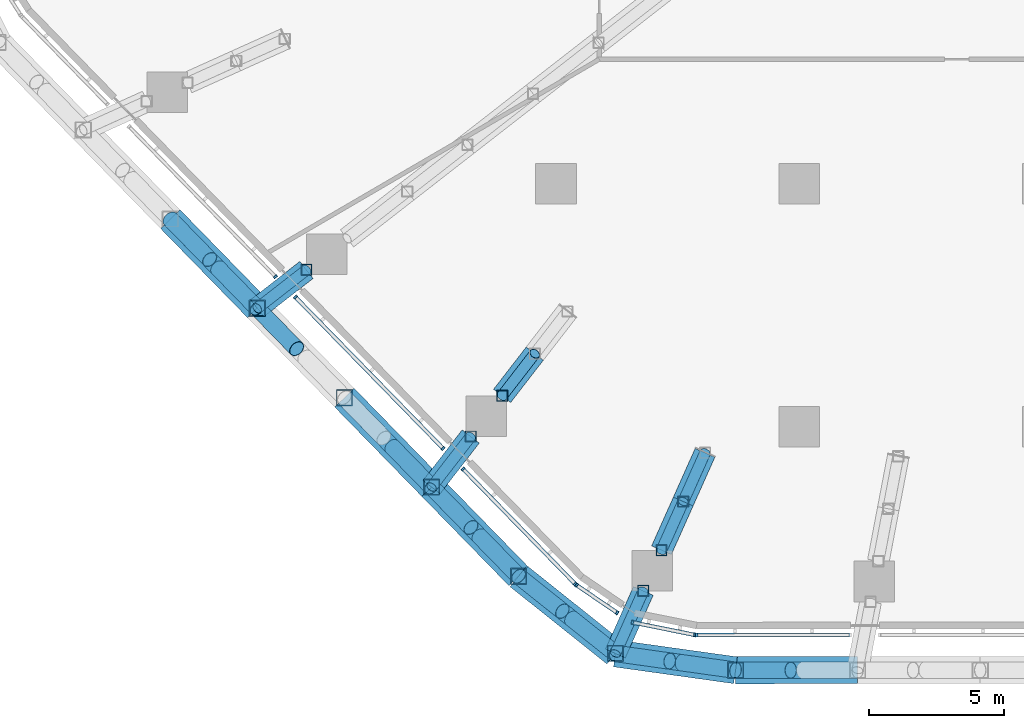
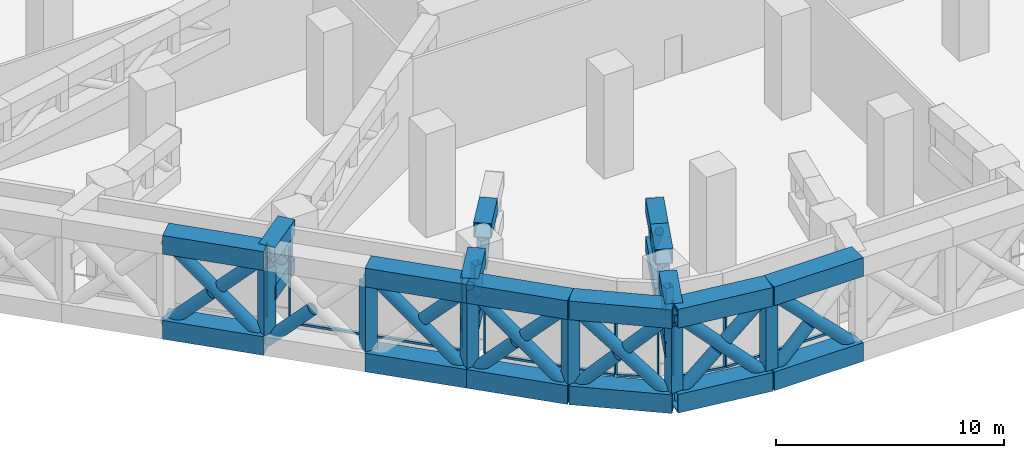
# One storey, part 2 of 38: 72 members, 3 elements without a shape of their own.
"""IFC4 building model written with IfcOpenShell, lengths in metres."""

from ifc_helpers import new_model, si_unit, direction, frame, origin, origin_2d, place, context, subcontext, project, spatial, rectangle, hollow_rectangle, hollow_circle, extrude, material, layer, layer_set, material_profile, profile_set, type_object, element, aggregate, save


model = new_model("IFC4")

# Units and contexts
model_context = context("Model", 3, precision=1e-05, world=origin(), true_north=direction((0.0, 1.0)))
body_context = subcontext(model_context, "Body", "Model", "MODEL_VIEW")
ifc_project = project(units=[si_unit("LENGTHUNIT", "METRE"), si_unit("AREAUNIT", "SQUARE_METRE"), si_unit("VOLUMEUNIT", "CUBIC_METRE"), si_unit("PLANEANGLEUNIT", "RADIAN"), si_unit("MASSUNIT", "GRAM", prefix="KILO")], contexts=[model_context])

# Site, building, storey
site_placement = place(None, origin())
site = spatial("IfcSite", under=ifc_project, at=site_placement, CompositionType="ELEMENT")
building_placement = place(site_placement, origin())
building = spatial("IfcBuilding", under=site, at=building_placement, Name="Dongbaek Canopy Tower", CompositionType="ELEMENT")
storey_placement = place(building_placement, frame((0.0, 0.0, 89.199951171875)))
storey = spatial("IfcBuildingStorey", under=building, at=storey_placement, Name="L18", CompositionType="ELEMENT", Elevation=89.199951171875)

# Members
ifc_material_1 = material(Name="Steel S355", Category="steel")
ifc_material_profile_1 = material_profile(ifc_material_1, hollow_circle(Radius=0.304931640625, WallThickness=0.01611328125, at=origin_2d()), Name="BELT BRACE CHS 610.0x16.0 Steel S355")
ifc_profile_set_1 = profile_set([ifc_material_profile_1], Name="Steel S355")
member_type_1 = type_object("IfcMemberType", Name="BELT BRACE CHS 610.0x16.0 Steel S355", PredefinedType="BRACE", material=ifc_profile_set_1)
member_1_placement = place(storey_placement, frame((-6.845703125, -35.997314453125, 0.5), z_axis=(-0.704263117263, -0.00034283687, 0.709938972114), x_axis=(0.000486802192, -0.999999881512, 0.0)))
element("IfcMember", 1, at=member_1_placement, inside=storey, type_object=member_type_1, Name="BELT:L18:3:D0:0", PredefinedType="BRACE", context=body_context, shape_type="SweptSolid", body=[
    extrude(hollow_circle(Radius=0.304931640625, WallThickness=0.01611328125, at=origin_2d()), origin(), (0.0, 0.0, 1.0), 6.4091796875),
])
member_2_placement = place(storey_placement, frame((-11.359375, -35.99951171875, 0.5), z_axis=(0.704238189185, 0.000336794925, 0.709963702919), x_axis=(-0.000478240022, 0.999999885643, 0.0)))
element("IfcMember", 2, at=member_2_placement, inside=storey, type_object=member_type_1, Name="BELT:L18:3:D0:1", PredefinedType="BRACE", context=body_context, shape_type="SweptSolid", body=[
    extrude(hollow_circle(Radius=0.304931640625, WallThickness=0.01611328125, at=origin_2d()), origin(), (0.0, 0.0, 1.0), 2.899658203125),
])
member_3_placement = place(storey_placement, frame((-11.359375, -35.99951171875, 0.5), z_axis=(-0.695400489423, 0.097192552746, 0.712019499032), x_axis=(-0.138419441988, -0.990373696177, 0.0)))
element("IfcMember", 3, at=member_3_placement, inside=storey, type_object=member_type_1, Name="BELT:L18:3:D1:0", PredefinedType="BRACE", context=body_context, shape_type="SweptSolid", body=[
    extrude(hollow_circle(Radius=0.304931640625, WallThickness=0.01611328125, at=origin_2d()), origin(), (0.0, 0.0, 1.0), 6.390380859375),
])
member_4_placement = place(storey_placement, frame((-15.80322265625, -35.37841796875, 0.5), z_axis=(0.695386687402, -0.097229115306, 0.712027986894), x_axis=(0.138473210982, 0.990366179673, 0.0)))
element("IfcMember", 4, at=member_4_placement, inside=storey, type_object=member_type_1, Name="BELT:L18:3:D1:1", PredefinedType="BRACE", context=body_context, shape_type="SweptSolid", body=[
    extrude(hollow_circle(Radius=0.304931640625, WallThickness=0.01611328125, at=origin_2d()), origin(), (0.0, 0.0, 1.0), 2.89013671875),
])
member_5_placement = place(storey_placement, frame((-11.359375, -35.99951171875, 5.050048828125), z_axis=(-0.695436017573, 0.097139732808, -0.711992006817), x_axis=(-0.138338724694, -0.990384974265, 0.0)))
element("IfcMember", 5, at=member_5_placement, inside=storey, type_object=member_type_1, Name="BELT:L18:3:D1:2", PredefinedType="BRACE", context=body_context, shape_type="SweptSolid", body=[
    extrude(hollow_circle(Radius=0.304931640625, WallThickness=0.01611328125, at=origin_2d()), origin(), (0.0, 0.0, 1.0), 2.890380859375),
])
member_6_placement = place(storey_placement, frame((-15.80322265625, -35.37841796875, 0.5), z_axis=(-0.554809433243, 0.442410902065, 0.70459852861), x_axis=(-0.62345977543, -0.781855426802, 0.0)))
element("IfcMember", 6, at=member_6_placement, inside=storey, type_object=member_type_1, Name="BELT:L18:4:D0:0", PredefinedType="BRACE", context=body_context, shape_type="SweptSolid", body=[
    extrude(hollow_circle(Radius=0.304931640625, WallThickness=0.01611328125, at=origin_2d()), origin(), (0.0, 0.0, 1.0), 6.457763671875),
])
for number, where, z_axis, x_axis, name in (
    (7, (-19.385986328125, -32.521484375, 0.5), (0.554781237993, -0.442472272746, 0.704582192382), (0.623532007942, 0.781797822376, 0.0), "BELT:L18:4:D0:1"),
    (8, (-15.80322265625, -35.37841796875, 5.050048828125), (-0.554859531809, 0.442384619944, -0.704575580046), (-0.623402719978, -0.781900920018, 0.0), "BELT:L18:4:D0:2"),
):
    element("IfcMember", number, at=place(storey_placement, frame(where, z_axis=z_axis, x_axis=x_axis)), inside=storey, type_object=member_type_1, Name=name, PredefinedType="BRACE", context=body_context, shape_type="SweptSolid", body=[
        extrude(hollow_circle(Radius=0.304931640625, WallThickness=0.01611328125, at=origin_2d()), origin(), (0.0, 0.0, 1.0), 2.923828125),
    ])
member_7_placement = place(storey_placement, frame((-19.385986328125, -32.521484375, 0.5), z_axis=(-0.496702587884, 0.509297384752, 0.702782123473), x_axis=(-0.715903427202, -0.698199314609, 0.0)))
element("IfcMember", 9, at=member_7_placement, inside=storey, type_object=member_type_1, Name="BELT:L18:4:D1:0", PredefinedType="BRACE", context=body_context, shape_type="SweptSolid", body=[
    extrude(hollow_circle(Radius=0.304931640625, WallThickness=0.01611328125, at=origin_2d()), origin(), (0.0, 0.0, 1.0), 6.474365234375),
])
for number, where, z_axis, x_axis, name in (
    (10, (-22.601806640625, -29.22412109375, 0.5), (0.496682503281, -0.509338956005, 0.702766190728), (0.71594602288, 0.698155636175, 0.0), "BELT:L18:4:D1:1"),
    (11, (-19.385986328125, -32.521484375, 5.050048828125), (-0.496766289493, 0.50925622302, -0.702766926469), (-0.715830461576, -0.698274122591, 0.0), "BELT:L18:4:D1:2"),
):
    element("IfcMember", number, at=place(storey_placement, frame(where, z_axis=z_axis, x_axis=x_axis)), inside=storey, type_object=member_type_1, Name=name, PredefinedType="BRACE", context=body_context, shape_type="SweptSolid", body=[
        extrude(hollow_circle(Radius=0.304931640625, WallThickness=0.01611328125, at=origin_2d()), origin(), (0.0, 0.0, 1.0), 2.93212890625),
    ])
member_8_placement = place(storey_placement, frame((-22.601806640625, -29.22412109375, 0.5), z_axis=(-0.497389639079, 0.510004184396, 0.701782928572), x_axis=(-0.715905019556, -0.698197681875, 0.0)))
element("IfcMember", 12, at=member_8_placement, inside=storey, type_object=member_type_1, Name="BELT:L18:5:D0:0", PredefinedType="BRACE", context=body_context, shape_type="SweptSolid", body=[
    extrude(hollow_circle(Radius=0.304931640625, WallThickness=0.01611328125, at=origin_2d()), origin(), (0.0, 0.0, 1.0), 6.483642578125),
])
for number, where, z_axis, x_axis, name in (
    (13, (-22.601806640625, -29.22412109375, 5.050048828125), (-0.497401689443, 0.510038336075, -0.701749567206), (-0.715919933224, -0.698182389646, 0.0), "BELT:L18:5:D0:2"),
    (14, (-29.05126953125, -22.61083984375, 0.5), (0.497310101627, -0.510029667917, 0.701820775315), (0.715978264303, 0.698122571648, 0.0), "BELT:L18:5:D1:1"),
):
    element("IfcMember", number, at=place(storey_placement, frame(where, z_axis=z_axis, x_axis=x_axis)), inside=storey, type_object=member_type_1, Name=name, PredefinedType="BRACE", context=body_context, shape_type="SweptSolid", body=[
        extrude(hollow_circle(Radius=0.304931640625, WallThickness=0.01611328125, at=origin_2d()), origin(), (0.0, 0.0, 1.0), 2.936767578125),
    ])
member_9_placement = place(storey_placement, frame((-29.05126953125, -22.61083984375, 0.5), z_axis=(-0.496787352499, 0.509417219926, 0.702635341013), x_axis=(-0.715925981108, -0.69817618806, 0.0)))
element("IfcMember", 15, at=member_9_placement, inside=storey, type_object=member_type_1, Name="BELT:L18:6:D0:0", PredefinedType="BRACE", context=body_context, shape_type="SweptSolid", body=[
    extrude(hollow_circle(Radius=0.304931640625, WallThickness=0.01611328125, at=origin_2d()), origin(), (0.0, 0.0, 1.0), 6.4755859375),
])
for number, where, z_axis, x_axis, name in (
    (16, (-32.268310546875, -19.31201171875, 0.5), (0.496778381341, -0.509430913842, 0.702631755513), (0.715941663884, 0.698160106219, 0.0), "BELT:L18:6:D0:1"),
    (17, (-29.05126953125, -22.61083984375, 5.050048828125), (-0.496778381341, 0.509430913842, -0.702631755513), (-0.715941663884, -0.698160106219, 0.0), "BELT:L18:6:D0:2"),
):
    element("IfcMember", number, at=place(storey_placement, frame(where, z_axis=z_axis, x_axis=x_axis)), inside=storey, type_object=member_type_1, Name=name, PredefinedType="BRACE", context=body_context, shape_type="SweptSolid", body=[
        extrude(hollow_circle(Radius=0.304931640625, WallThickness=0.01611328125, at=origin_2d()), origin(), (0.0, 0.0, 1.0), 2.932861328125),
    ])
ifc_material_2 = material(Name="Steel S355", Category="steel")
ifc_material_profile_2 = material_profile(ifc_material_2, hollow_rectangle(XDim=1.0, YDim=1.0, WallThickness=0.050048828125, at=origin_2d()), Name="BELT CHORD BOX 1000x1000x50 Steel S355")
ifc_profile_set_2 = profile_set([ifc_material_profile_2], Name="Steel S355")
member_type_2 = type_object("IfcMemberType", Name="BELT CHORD BOX 1000x1000x50 Steel S355", PredefinedType="CHORD", material=ifc_profile_set_2)
for number, where, z_axis, x_axis, name in (
    (18, (-6.845703125, -35.997314453125, 0.5), (-0.999999881512, -0.000486802192, 0.0), (0.000486802192, -0.999999881512, 0.0), "BELT:L18:3:CB0"),
    (19, (-6.845703125, -35.997314453125, 5.050048828125), (-0.999999881512, -0.000486802192, 0.0), (0.000486802192, -0.999999881512, 0.0), "BELT:L18:3:CT0"),
):
    element("IfcMember", number, at=place(storey_placement, frame(where, z_axis=z_axis, x_axis=x_axis)), inside=storey, type_object=member_type_2, Name=name, PredefinedType="CHORD", context=body_context, shape_type="SweptSolid", body=[
        extrude(hollow_rectangle(XDim=1.0, YDim=1.0, WallThickness=0.050048828125, at=origin_2d()), origin(), (0.0, 0.0, 1.0), 4.513671875),
    ])
for number, where, z_axis, x_axis, name in (
    (20, (-11.359375, -35.99951171875, 0.5), (-0.990373696177, 0.138419441988, 0.0), (-0.138419441988, -0.990373696177, 0.0), "BELT:L18:3:CB1"),
    (21, (-11.359375, -35.99951171875, 5.050048828125), (-0.990373696177, 0.138419441988, 0.0), (-0.138419441988, -0.990373696177, 0.0), "BELT:L18:3:CT1"),
):
    element("IfcMember", number, at=place(storey_placement, frame(where, z_axis=z_axis, x_axis=x_axis)), inside=storey, type_object=member_type_2, Name=name, PredefinedType="CHORD", context=body_context, shape_type="SweptSolid", body=[
        extrude(hollow_rectangle(XDim=1.0, YDim=1.0, WallThickness=0.050048828125, at=origin_2d()), origin(), (0.0, 0.0, 1.0), 4.487060546875),
    ])
for number, where, z_axis, x_axis, name in (
    (22, (-15.80322265625, -35.37841796875, 0.5), (-0.781855426802, 0.62345977543, 0.0), (-0.62345977543, -0.781855426802, 0.0), "BELT:L18:4:CB0"),
    (23, (-15.80322265625, -35.37841796875, 5.050048828125), (-0.781855426802, 0.62345977543, 0.0), (-0.62345977543, -0.781855426802, 0.0), "BELT:L18:4:CT0"),
):
    element("IfcMember", number, at=place(storey_placement, frame(where, z_axis=z_axis, x_axis=x_axis)), inside=storey, type_object=member_type_2, Name=name, PredefinedType="CHORD", context=body_context, shape_type="SweptSolid", body=[
        extrude(hollow_rectangle(XDim=1.0, YDim=1.0, WallThickness=0.050048828125, at=origin_2d()), origin(), (0.0, 0.0, 1.0), 4.582275390625),
    ])
for number, where, z_axis, x_axis, name in (
    (24, (-19.385986328125, -32.521484375, 0.5), (-0.698199314609, 0.715903427202, 0.0), (-0.715903427202, -0.698199314609, 0.0), "BELT:L18:4:CB1"),
    (25, (-19.385986328125, -32.521484375, 5.050048828125), (-0.698199314609, 0.715903427202, 0.0), (-0.715903427202, -0.698199314609, 0.0), "BELT:L18:4:CT1"),
):
    element("IfcMember", number, at=place(storey_placement, frame(where, z_axis=z_axis, x_axis=x_axis)), inside=storey, type_object=member_type_2, Name=name, PredefinedType="CHORD", context=body_context, shape_type="SweptSolid", body=[
        extrude(hollow_rectangle(XDim=1.0, YDim=1.0, WallThickness=0.050048828125, at=origin_2d()), origin(), (0.0, 0.0, 1.0), 4.60595703125),
    ])
for number, where, z_axis, x_axis, name in (
    (26, (-22.601806640625, -29.22412109375, 0.5), (-0.698197681875, 0.715905019556, 0.0), (-0.715905019556, -0.698197681875, 0.0), "BELT:L18:5:CB0"),
    (27, (-22.601806640625, -29.22412109375, 5.050048828125), (-0.698197681875, 0.715905019556, 0.0), (-0.715905019556, -0.698197681875, 0.0), "BELT:L18:5:CT0"),
):
    element("IfcMember", number, at=place(storey_placement, frame(where, z_axis=z_axis, x_axis=x_axis)), inside=storey, type_object=member_type_2, Name=name, PredefinedType="CHORD", context=body_context, shape_type="SweptSolid", body=[
        extrude(hollow_rectangle(XDim=1.0, YDim=1.0, WallThickness=0.050048828125, at=origin_2d()), origin(), (0.0, 0.0, 1.0), 4.618896484375),
    ])
for number, where, z_axis, x_axis, name in (
    (28, (-29.05126953125, -22.61083984375, 0.5), (-0.69817618806, 0.715925981108, 0.0), (-0.715925981108, -0.69817618806, 0.0), "BELT:L18:6:CB0"),
    (29, (-29.05126953125, -22.61083984375, 5.050048828125), (-0.69817618806, 0.715925981108, 0.0), (-0.715925981108, -0.69817618806, 0.0), "BELT:L18:6:CT0"),
):
    element("IfcMember", number, at=place(storey_placement, frame(where, z_axis=z_axis, x_axis=x_axis)), inside=storey, type_object=member_type_2, Name=name, PredefinedType="CHORD", context=body_context, shape_type="SweptSolid", body=[
        extrude(hollow_rectangle(XDim=1.0, YDim=1.0, WallThickness=0.050048828125, at=origin_2d()), origin(), (0.0, 0.0, 1.0), 4.607666015625),
    ])
ifc_material_3 = material(Name="Steel S355", Category="steel")
ifc_material_profile_3 = material_profile(ifc_material_3, hollow_rectangle(XDim=0.60009765625, YDim=0.60009765625, WallThickness=0.031982421875, at=origin_2d()), Name="BELT POST BOX 600x600x32 Steel S355")
ifc_profile_set_3 = profile_set([ifc_material_profile_3], Name="Steel S355")
member_type_3 = type_object("IfcMemberType", Name="BELT POST BOX 600x600x32 Steel S355", PredefinedType="POST", material=ifc_profile_set_3)
for number, where, z_axis, x_axis, name in (
    (30, (-11.359375, -35.99951171875, 1.0), (0.0, 0.0, 1.0), (1.0, 0.0, 0.0), "BELT:L18:3:P1"),
    (31, (-15.80322265625, -35.37841796875, 1.0), (0.0, 0.0, 1.0), (1.0, 0.0, 0.0), "BELT:L18:4:P0"),
    (32, (-19.385986328125, -32.521484375, 1.0), (0.0, 0.0, 1.0), (1.0, 0.0, 0.0), "BELT:L18:4:P1"),
    (33, (-22.601806640625, -29.22412109375, 1.0), (0.0, 0.0, 1.0), (1.0, 0.0, 0.0), "BELT:L18:5:P0"),
    (34, (-25.82666015625, -25.91748046875, 1.0), (0.0, 0.0, 1.0), (1.0, 0.0, 0.0), "BELT:L18:5:P1"),
    (35, (-29.05126953125, -22.61083984375, 1.0), (0.0, 0.0, 1.0), (1.0, 0.0, 0.0), "BELT:L18:6:P0"),
):
    element("IfcMember", number, at=place(storey_placement, frame(where, z_axis=z_axis, x_axis=x_axis)), inside=storey, type_object=member_type_3, Name=name, PredefinedType="POST", context=body_context, shape_type="SweptSolid", body=[
        extrude(hollow_rectangle(XDim=0.60009765625, YDim=0.60009765625, WallThickness=0.031982421875, at=origin_2d()), origin(), (0.0, 0.0, 1.0), 3.550048828125),
    ])
ifc_material_4 = material(Name="Steel S355", Category="steel")
ifc_material_profile_4 = material_profile(ifc_material_4, hollow_circle(Radius=0.203125, WallThickness=0.0126953125, at=origin_2d()), Name="BRACE CHS 406.4x12.7 Steel S355")
ifc_profile_set_4 = profile_set([ifc_material_profile_4], Name="Steel S355")
member_type_4 = type_object("IfcMemberType", Name="BRACE CHS 406.4x12.7 Steel S355", PredefinedType="BRACE", material=ifc_profile_set_4)
for number, where, z_axis, x_axis, name in (
    (36, (-12.488037109375, -27.95654296875, 3.10009765625), (-0.282943088052, -0.633470035875, 0.720179784896), (0.913060623809, -0.407823855665, 0.0), "TRUSS:L18:4:D0"),
    (37, (-13.29345703125, -29.759765625, 5.150146484375), (-0.283021985323, -0.633454661695, -0.72016230629), (0.913014588027, -0.407926907729, 0.0), "TRUSS:L18:4:D1"),
    (38, (-18.78564453125, -24.289794921875, 5.150146484375), (-0.424452199705, -0.5488118056, -0.720170765999), (0.791026661945, -0.611781676819, 0.0), "TRUSS:L18:5:D1"),
):
    element("IfcMember", number, at=place(storey_placement, frame(where, z_axis=z_axis, x_axis=x_axis)), inside=storey, type_object=member_type_4, Name=name, PredefinedType="BRACE", context=body_context, shape_type="SweptSolid", body=[
        extrude(hollow_circle(Radius=0.203125, WallThickness=0.0126953125, at=origin_2d()), origin(), (0.0, 0.0, 1.0), 2.8466796875),
    ])
member_10_placement = place(storey_placement, frame((-14.76904296875, -33.06298828125, 3.10009765625), z_axis=(-0.317145870401, -0.710059356677, 0.628676551879), x_axis=(0.913063633075, -0.407817118273, 0.0)))
element("IfcMember", 39, at=member_10_placement, inside=storey, type_object=member_type_4, Name="TRUSS:L18:4x:D0", PredefinedType="BRACE", context=body_context, shape_type="SweptSolid", body=[
    extrude(hollow_circle(Radius=0.203125, WallThickness=0.0126953125, at=origin_2d()), origin(), (0.0, 0.0, 1.0), 3.260986328125),
])
member_11_placement = place(storey_placement, frame((-21.154052734375, -27.35205078125, 3.10009765625), z_axis=(-0.462389260801, -0.597909081252, 0.654752550244), x_axis=(0.79104899027, -0.611752805464, 0.0)))
element("IfcMember", 40, at=member_11_placement, inside=storey, type_object=member_type_4, Name="TRUSS:L18:5x:D0", PredefinedType="BRACE", context=body_context, shape_type="SweptSolid", body=[
    extrude(hollow_circle(Radius=0.203125, WallThickness=0.0126953125, at=origin_2d()), origin(), (0.0, 0.0, 1.0), 3.131103515625),
])
member_12_placement = place(storey_placement, frame((-27.22802734375, -21.191650390625, 3.10009765625), z_axis=(-0.590265178404, -0.459455206489, 0.663692649043), x_axis=(0.614240500046, -0.789118880843, 0.0)))
element("IfcMember", 41, at=member_12_placement, inside=storey, type_object=member_type_4, Name="TRUSS:L18:6x:D0", PredefinedType="BRACE", context=body_context, shape_type="SweptSolid", body=[
    extrude(hollow_circle(Radius=0.203125, WallThickness=0.0126953125, at=origin_2d()), origin(), (0.0, 0.0, 1.0), 3.0888671875),
])
ifc_material_5 = material(Name="Steel S355", Category="steel")
ifc_material_profile_5 = material_profile(ifc_material_5, hollow_rectangle(XDim=0.800048828125, YDim=0.800048828125, WallThickness=0.0400390625, at=origin_2d()), Name="CHORD BOX 800x800x40 Steel S355")
ifc_profile_set_5 = profile_set([ifc_material_profile_5], Name="Steel S355")
member_type_5 = type_object("IfcMemberType", Name="CHORD BOX 800x800x40 Steel S355", PredefinedType="CHORD", material=ifc_profile_set_5)
member_13_placement = place(storey_placement, frame((-12.488037109375, -27.95654296875, 3.10009765625), z_axis=(-0.407875383646, -0.913037606792, 0.0), x_axis=(0.913037606792, -0.407875383646, 0.0)))
element("IfcMember", 42, at=member_13_placement, inside=storey, type_object=member_type_5, Name="TRUSS:L18:4:CB", PredefinedType="CHORD", context=body_context, shape_type="SweptSolid", body=[
    extrude(hollow_rectangle(XDim=0.800048828125, YDim=0.800048828125, WallThickness=0.0400390625, at=origin_2d()), origin(), (0.0, 0.0, 1.0), 3.949951171875),
])
member_14_placement = place(storey_placement, frame((-12.488037109375, -27.95654296875, 5.150146484375), z_axis=(-0.407823855665, -0.913060623809, 0.0), x_axis=(0.913060623809, -0.407823855665, 0.0)))
element("IfcMember", 43, at=member_14_placement, inside=storey, type_object=member_type_5, Name="TRUSS:L18:4:CT0", PredefinedType="CHORD", context=body_context, shape_type="SweptSolid", body=[
    extrude(hollow_rectangle(XDim=0.800048828125, YDim=0.800048828125, WallThickness=0.0400390625, at=origin_2d()), origin(), (0.0, 0.0, 1.0), 1.974853515625),
])
member_15_placement = place(storey_placement, frame((-13.29345703125, -29.759765625, 5.150146484375), z_axis=(-0.407926907729, -0.913014588027, 0.0), x_axis=(0.913014588027, -0.407926907729, 0.0)))
element("IfcMember", 44, at=member_15_placement, inside=storey, type_object=member_type_5, Name="TRUSS:L18:4:CT1", PredefinedType="CHORD", context=body_context, shape_type="SweptSolid", body=[
    extrude(hollow_rectangle(XDim=0.800048828125, YDim=0.800048828125, WallThickness=0.0400390625, at=origin_2d()), origin(), (0.0, 0.0, 1.0), 1.97509765625),
])
member_16_placement = place(storey_placement, frame((-18.78564453125, -24.289794921875, 5.150146484375), z_axis=(-0.611781676819, -0.791026661945, 0.0), x_axis=(0.791026661945, -0.611781676819, 0.0)))
element("IfcMember", 45, at=member_16_placement, inside=storey, type_object=member_type_5, Name="TRUSS:L18:5:CT1", PredefinedType="CHORD", context=body_context, shape_type="SweptSolid", body=[
    extrude(hollow_rectangle(XDim=0.800048828125, YDim=0.800048828125, WallThickness=0.0400390625, at=origin_2d()), origin(), (0.0, 0.0, 1.0), 1.974853515625),
])
for number, where, z_axis, x_axis, name in (
    (46, (-14.76904296875, -33.06298828125, 3.10009765625), (-0.407817118273, -0.913063633075, 0.0), (0.913063633075, -0.407817118273, 0.0), "TRUSS:L18:4x:CB"),
    (47, (-14.76904296875, -33.06298828125, 5.150146484375), (-0.407817118273, -0.913063633075, 0.0), (0.913063633075, -0.407817118273, 0.0), "TRUSS:L18:4x:CT0"),
):
    element("IfcMember", number, at=place(storey_placement, frame(where, z_axis=z_axis, x_axis=x_axis)), inside=storey, type_object=member_type_5, Name=name, PredefinedType="CHORD", context=body_context, shape_type="SweptSolid", body=[
        extrude(hollow_rectangle(XDim=0.800048828125, YDim=0.800048828125, WallThickness=0.0400390625, at=origin_2d()), origin(), (0.0, 0.0, 1.0), 2.535888671875),
    ])
for number, where, z_axis, x_axis, name in (
    (48, (-21.154052734375, -27.35205078125, 3.10009765625), (-0.611752805464, -0.79104899027, 0.0), (0.79104899027, -0.611752805464, 0.0), "TRUSS:L18:5x:CB"),
    (49, (-21.154052734375, -27.35205078125, 5.150146484375), (-0.611752805464, -0.79104899027, 0.0), (0.79104899027, -0.611752805464, 0.0), "TRUSS:L18:5x:CT0"),
):
    element("IfcMember", number, at=place(storey_placement, frame(where, z_axis=z_axis, x_axis=x_axis)), inside=storey, type_object=member_type_5, Name=name, PredefinedType="CHORD", context=body_context, shape_type="SweptSolid", body=[
        extrude(hollow_rectangle(XDim=0.800048828125, YDim=0.800048828125, WallThickness=0.0400390625, at=origin_2d()), origin(), (0.0, 0.0, 1.0), 2.366455078125),
    ])
for number, where, z_axis, x_axis, name in (
    (50, (-27.22802734375, -21.191650390625, 3.10009765625), (-0.789118880843, -0.614240500046, 0.0), (0.614240500046, -0.789118880843, 0.0), "TRUSS:L18:6x:CB"),
    (51, (-27.22802734375, -21.191650390625, 5.150146484375), (-0.789118880843, -0.614240500046, 0.0), (0.614240500046, -0.789118880843, 0.0), "TRUSS:L18:6x:CT0"),
):
    element("IfcMember", number, at=place(storey_placement, frame(where, z_axis=z_axis, x_axis=x_axis)), inside=storey, type_object=member_type_5, Name=name, PredefinedType="CHORD", context=body_context, shape_type="SweptSolid", body=[
        extrude(hollow_rectangle(XDim=0.800048828125, YDim=0.800048828125, WallThickness=0.0400390625, at=origin_2d()), origin(), (0.0, 0.0, 1.0), 2.310546875),
    ])

# Curtain wall, members
ifc_material_6 = material(Name="Aluminium 6063-T6 pale anodised", Category="aluminium")
ifc_layer = layer(ifc_material_6, 0.14990234375)
ifc_layer_set = layer_set([ifc_layer], Name="CW-7 louvre curtain wall")
curtain_wall_type = type_object("IfcCurtainWallType", Name="CW-7 louvre curtain wall", PredefinedType="NOTDEFINED", material=ifc_layer_set)
curtain_wall_1_placement = place(storey_placement, origin())
curtain_wall_1 = element("IfcCurtainWall", 52, at=curtain_wall_1_placement, inside=storey, type_object=curtain_wall_type, Name="CW-7 louvre wall L18 F3", PredefinedType="NOTDEFINED")
ifc_material_7 = material(Name="Aluminium 6063-T6 pale anodised", Category="aluminium")
ifc_material_profile_6 = material_profile(ifc_material_7, rectangle(XDim=0.14990234375, YDim=0.080078125, at=origin_2d()), Name="CW-7 mullion 80 x 150")
ifc_profile_set_6 = profile_set([ifc_material_profile_6], Name="Aluminium 6063-T6 pale anodised")
member_type_6 = type_object("IfcMemberType", Name="CW-7 mullion 80 x 150", PredefinedType="MULLION", material=ifc_profile_set_6)
member_17_placement = place(storey_placement, frame((-28.373779296875, -21.443603515625, 0.775146484375), z_axis=(0.0, 0.0, 1.0), x_axis=(-0.715921010909, -0.698181284581, 0.0)))
member_17 = element("IfcMember", 53, at=member_17_placement, type_object=member_type_6, Name="CW-7 mullion L18 F3.2.2", PredefinedType="MULLION", context=body_context, shape_type="SweptSolid", body=[
    extrude(rectangle(XDim=0.14990234375, YDim=0.080078125, at=origin_2d()), origin(), (0.0, 0.0, 1.0), 4.0),
])
member_18_placement = place(storey_placement, frame((-27.642333984375, -22.193603515625, 0.775146484375), z_axis=(0.0, 0.0, 1.0), x_axis=(-0.715921010909, -0.698181284581, 0.0)))
member_18 = element("IfcMember", 54, at=member_18_placement, type_object=member_type_6, Name="CW-7 mullion L18 F3.3.1", PredefinedType="MULLION", context=body_context, shape_type="SweptSolid", body=[
    extrude(rectangle(XDim=0.14990234375, YDim=0.080078125, at=origin_2d()), origin(), (0.0, 0.0, 1.0), 4.0),
])
member_19_placement = place(storey_placement, frame((-22.18212890625, -27.79248046875, 0.775146484375), z_axis=(0.0, 0.0, 1.0), x_axis=(-0.715921010909, -0.698181284581, 0.0)))
member_19 = element("IfcMember", 55, at=member_19_placement, type_object=member_type_6, Name="CW-7 mullion L18 F3.3.2", PredefinedType="MULLION", context=body_context, shape_type="SweptSolid", body=[
    extrude(rectangle(XDim=0.14990234375, YDim=0.080078125, at=origin_2d()), origin(), (0.0, 0.0, 1.0), 4.0),
])
member_20_placement = place(storey_placement, frame((-21.4423828125, -28.551025390625, 0.775146484375), z_axis=(0.0, 0.0, 1.0), x_axis=(-0.715921010909, -0.698181284581, 0.0)))
member_20 = element("IfcMember", 56, at=member_20_placement, type_object=member_type_6, Name="CW-7 mullion L18 F3.4.1", PredefinedType="MULLION", context=body_context, shape_type="SweptSolid", body=[
    extrude(rectangle(XDim=0.14990234375, YDim=0.080078125, at=origin_2d()), origin(), (0.0, 0.0, 1.0), 4.0),
])
member_21_placement = place(storey_placement, frame((-17.292236328125, -32.806884765625, 0.775146484375), z_axis=(0.0, 0.0, 1.0), x_axis=(-0.715921010909, -0.698181284581, 0.0)))
member_21 = element("IfcMember", 57, at=member_21_placement, type_object=member_type_6, Name="CW-7 mullion L18 F3.4.2", PredefinedType="MULLION", context=body_context, shape_type="SweptSolid", body=[
    extrude(rectangle(XDim=0.14990234375, YDim=0.080078125, at=origin_2d()), origin(), (0.0, 0.0, 1.0), 4.0),
])

curtain_wall_2_placement = place(storey_placement, origin())
curtain_wall_2 = element("IfcCurtainWall", 58, at=curtain_wall_2_placement, inside=storey, type_object=curtain_wall_type, Name="CW-7 louvre wall L18 K4", PredefinedType="NOTDEFINED")
member_22_placement = place(storey_placement, frame((-17.23876953125, -32.8515625, 0.775146484375), z_axis=(0.0, 0.0, 1.0), x_axis=(-0.563259880027, -0.826279799797, 0.0)))
member_22 = element("IfcMember", 59, at=member_22_placement, type_object=member_type_6, Name="CW-7 mullion L18 K4.1.1", PredefinedType="MULLION", context=body_context, shape_type="SweptSolid", body=[
    extrude(rectangle(XDim=0.14990234375, YDim=0.080078125, at=origin_2d()), origin(), (0.0, 0.0, 1.0), 4.0),
])
member_23_placement = place(storey_placement, frame((-15.73828125, -33.87451171875, 0.775146484375), z_axis=(0.0, 0.0, 1.0), x_axis=(-0.563259880027, -0.826279799797, 0.0)))
member_23 = element("IfcMember", 60, at=member_23_placement, type_object=member_type_6, Name="CW-7 mullion L18 K4.1.2", PredefinedType="MULLION", context=body_context, shape_type="SweptSolid", body=[
    extrude(rectangle(XDim=0.14990234375, YDim=0.080078125, at=origin_2d()), origin(), (0.0, 0.0, 1.0), 4.0),
])
member_24_placement = place(storey_placement, frame((-15.169677734375, -34.228759765625, 0.775146484375), z_axis=(0.0, 0.0, 1.0), x_axis=(-0.197779897497, -0.980246454799, 0.0)))
member_24 = element("IfcMember", 61, at=member_24_placement, type_object=member_type_6, Name="CW-7 mullion L18 K4.2.1", PredefinedType="MULLION", context=body_context, shape_type="SweptSolid", body=[
    extrude(rectangle(XDim=0.14990234375, YDim=0.080078125, at=origin_2d()), origin(), (0.0, 0.0, 1.0), 4.0),
])
member_25_placement = place(storey_placement, frame((-12.86669921875, -34.693359375, 0.775146484375), z_axis=(0.0, 0.0, 1.0), x_axis=(-0.197779897497, -0.980246454799, 0.0)))
member_25 = element("IfcMember", 62, at=member_25_placement, type_object=member_type_6, Name="CW-7 mullion L18 K4.2.2", PredefinedType="MULLION", context=body_context, shape_type="SweptSolid", body=[
    extrude(rectangle(XDim=0.14990234375, YDim=0.080078125, at=origin_2d()), origin(), (0.0, 0.0, 1.0), 4.0),
])

# Curtain wall, member
curtain_wall_3_placement = place(storey_placement, origin())
curtain_wall_3 = element("IfcCurtainWall", 63, at=curtain_wall_3_placement, inside=storey, type_object=curtain_wall_type, Name="CW-7 louvre wall L18 F4", PredefinedType="NOTDEFINED")
member_26_placement = place(storey_placement, frame((-12.79736328125, -34.7001953125, 0.775146484375), z_axis=(0.0, 0.0, 1.0), x_axis=(0.000524044387, -0.999999862689, 0.0)))
member_26 = element("IfcMember", 64, at=member_26_placement, type_object=member_type_6, Name="CW-7 mullion L18 F4.1.1", PredefinedType="MULLION", context=body_context, shape_type="SweptSolid", body=[
    extrude(rectangle(XDim=0.14990234375, YDim=0.080078125, at=origin_2d()), origin(), (0.0, 0.0, 1.0), 4.0),
])

# Member
ifc_material_8 = material(Name="Aluminium 6063-T6 pale anodised", Category="aluminium")
ifc_material_profile_7 = material_profile(ifc_material_8, rectangle(XDim=0.14990234375, YDim=0.1201171875, at=origin_2d()), Name="CW-7 transom 120 x 150")
ifc_profile_set_7 = profile_set([ifc_material_profile_7], Name="Aluminium 6063-T6 pale anodised")
member_type_7 = type_object("IfcMemberType", Name="CW-7 transom 120 x 150", PredefinedType="USERDEFINED", material=ifc_profile_set_7)
member_27_placement = place(storey_placement, frame((-27.642333984375, -22.193603515625, 0.715087890625), z_axis=(0.698185352387, -0.715917043876, 0.0), x_axis=(0.715917043876, 0.698185352387, 0.0)))
member_27 = element("IfcMember", 65, at=member_27_placement, type_object=member_type_7, Name="CW-7 transom L18 F3.3", ObjectType="TRANSOM", PredefinedType="USERDEFINED", context=body_context, shape_type="SweptSolid", body=[
    extrude(rectangle(XDim=0.14990234375, YDim=0.1201171875, at=origin_2d()), origin(), (0.0, 0.0, 1.0), 7.820556640625),
])

member_28_placement = place(storey_placement, frame((-21.4423828125, -28.551025390625, 0.715087890625), z_axis=(0.698159088033, -0.71594265678, 0.0), x_axis=(0.71594265678, 0.698159088033, 0.0)))
member_28 = element("IfcMember", 66, at=member_28_placement, type_object=member_type_7, Name="CW-7 transom L18 F3.4", ObjectType="TRANSOM", PredefinedType="USERDEFINED", context=body_context, shape_type="SweptSolid", body=[
    extrude(rectangle(XDim=0.14990234375, YDim=0.1201171875, at=origin_2d()), origin(), (0.0, 0.0, 1.0), 5.9443359375),
])

aggregate(curtain_wall_1, [member_17, member_27, member_18, member_19, member_28, member_20, member_21])

member_29_placement = place(storey_placement, frame((-17.23876953125, -32.8515625, 0.715087890625), z_axis=(0.826255784203, -0.563295108332, 0.0), x_axis=(0.563295108332, 0.826255784203, 0.0)))
member_29 = element("IfcMember", 67, at=member_29_placement, type_object=member_type_7, Name="CW-7 transom L18 K4.1", ObjectType="TRANSOM", PredefinedType="USERDEFINED", context=body_context, shape_type="SweptSolid", body=[
    extrude(rectangle(XDim=0.14990234375, YDim=0.1201171875, at=origin_2d()), origin(), (0.0, 0.0, 1.0), 1.81591796875),
])

member_30_placement = place(storey_placement, frame((-15.169677734375, -34.228759765625, 0.715087890625), z_axis=(0.98025156737, -0.197754556632, 0.0), x_axis=(0.197754556632, 0.98025156737, 0.0)))
member_30 = element("IfcMember", 68, at=member_30_placement, type_object=member_type_7, Name="CW-7 transom L18 K4.2", ObjectType="TRANSOM", PredefinedType="USERDEFINED", context=body_context, shape_type="SweptSolid", body=[
    extrude(rectangle(XDim=0.14990234375, YDim=0.1201171875, at=origin_2d()), origin(), (0.0, 0.0, 1.0), 2.349365234375),
])

aggregate(curtain_wall_2, [member_29, member_22, member_23, member_30, member_24, member_25])

member_31_placement = place(storey_placement, frame((-12.79736328125, -34.7001953125, 0.715087890625), z_axis=(0.999999867183, 0.000515397432, 0.0), x_axis=(-0.000515397432, 0.999999867183, 0.0)))
member_31 = element("IfcMember", 69, at=member_31_placement, type_object=member_type_7, Name="CW-7 transom L18 F4.1", ObjectType="TRANSOM", PredefinedType="USERDEFINED", context=body_context, shape_type="SweptSolid", body=[
    extrude(rectangle(XDim=0.14990234375, YDim=0.1201171875, at=origin_2d()), origin(), (0.0, 0.0, 1.0), 5.684326171875),
])

aggregate(curtain_wall_3, [member_31, member_26])

# Members
ifc_material_9 = material(Name="Steel S355", Category="steel")
ifc_material_profile_8 = material_profile(ifc_material_9, hollow_rectangle(XDim=0.39990234375, YDim=0.39990234375, WallThickness=0.01611328125, at=origin_2d()), Name="POST SHS 400x400x16 Steel S355")
ifc_profile_set_8 = profile_set([ifc_material_profile_8], Name="Steel S355")
member_type_8 = type_object("IfcMemberType", Name="POST SHS 400x400x16 Steel S355", PredefinedType="POST", material=ifc_profile_set_8)
for number, where, z_axis, x_axis, name in (
    (70, (-13.29345703125, -29.759765625, 3.5), (0.0, 0.0, 1.0), (1.0, 0.0, 0.0), "TRUSS:L18:4:P1"),
    (71, (-14.09912109375, -31.56298828125, 3.5), (0.0, 0.0, 1.0), (1.0, 0.0, 0.0), "TRUSS:L18:4:P2"),
    (72, (-19.993896484375, -25.85205078125, 3.5), (0.0, 0.0, 1.0), (1.0, 0.0, 0.0), "TRUSS:L18:5:P2"),
    (73, (-14.76904296875, -33.06298828125, 3.5), (0.0, 0.0, 1.0), (1.0, 0.0, 0.0), "TRUSS:L18:4x:P0"),
    (74, (-21.154052734375, -27.35205078125, 3.5), (0.0, 0.0, 1.0), (1.0, 0.0, 0.0), "TRUSS:L18:5x:P0"),
    (75, (-27.22802734375, -21.191650390625, 3.5), (0.0, 0.0, 1.0), (1.0, 0.0, 0.0), "TRUSS:L18:6x:P0"),
):
    element("IfcMember", number, at=place(storey_placement, frame(where, z_axis=z_axis, x_axis=x_axis)), inside=storey, type_object=member_type_8, Name=name, PredefinedType="POST", context=body_context, shape_type="SweptSolid", body=[
        extrude(hollow_rectangle(XDim=0.39990234375, YDim=0.39990234375, WallThickness=0.01611328125, at=origin_2d()), origin(), (0.0, 0.0, 1.0), 1.25),
    ])

save(model, "model.ifc")
